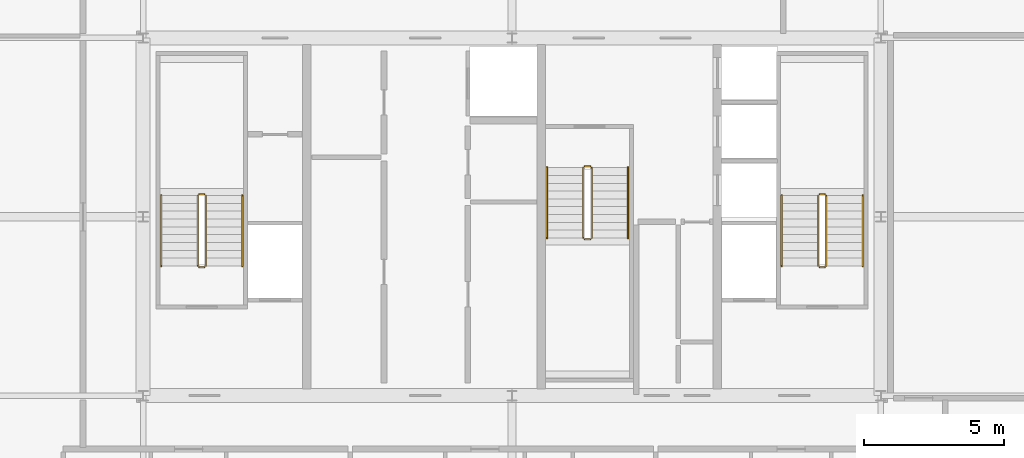
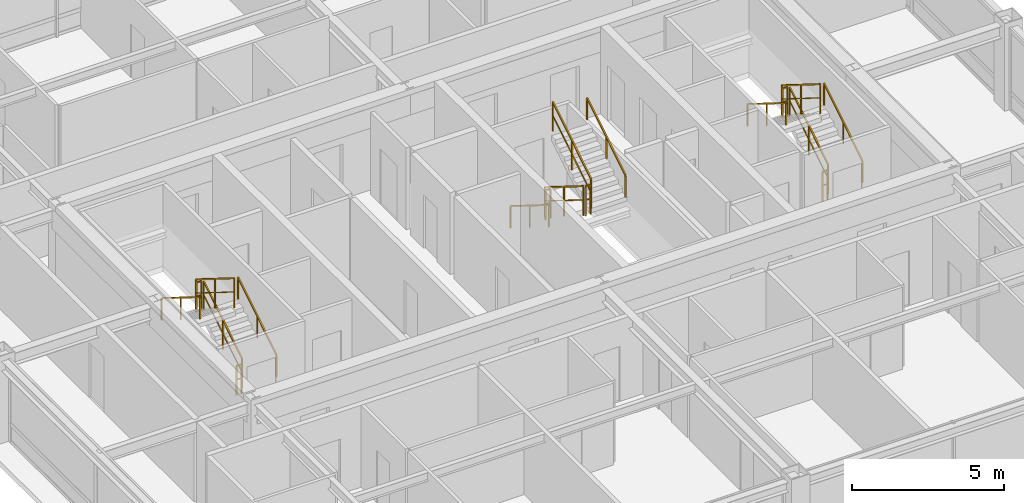
# One storey, part 35 of 35: 18 railings.
"""IFC4 building model written with IfcOpenShell, lengths in metres."""

from ifc_helpers import new_model, si_unit, direction, frame, origin, origin_2d, place, context, subcontext, project, spatial, rectangle, extrude, source, transform, mapped, material, layer, layer_set, type_object, element, save


model = new_model("IFC4")

# Units and contexts
model_context = context("Model", 3, precision=1e-05, world=origin(), true_north=direction((0.0, 1.0)))
body_context = subcontext(model_context, "Body", "Model", "MODEL_VIEW")
ifc_project = project(units=[si_unit("LENGTHUNIT", "METRE"), si_unit("AREAUNIT", "SQUARE_METRE"), si_unit("VOLUMEUNIT", "CUBIC_METRE"), si_unit("PLANEANGLEUNIT", "RADIAN"), si_unit("MASSUNIT", "GRAM", prefix="KILO"), si_unit("THERMODYNAMICTEMPERATUREUNIT", "KELVIN"), si_unit("POWERUNIT", "WATT")], contexts=[model_context])

# Site, building, storey
site_placement = place(None, origin())
site = spatial("IfcSite", under=ifc_project, at=site_placement, CompositionType="ELEMENT")
building_placement = place(site_placement, origin())
building = spatial("IfcBuilding", under=site, at=building_placement, Name="Yuzanri Waterfront Tower", CompositionType="ELEMENT")
storey_placement = place(building_placement, frame((0.0, 0.0, 318.199951171875)))
storey = spatial("IfcBuildingStorey", under=building, at=storey_placement, Name="L85", CompositionType="ELEMENT", Elevation=318.199951171875)

# Railings
ifc_material_1 = material(Name="Painted Galvanized Fire Steel", Category="steel")
ifc_layer_1 = layer(ifc_material_1, 0.06005859375)
ifc_layer_set_1 = layer_set([ifc_layer_1], Name="Painted Galvanized Fire Steel")
railing_type_1 = type_object("IfcRailingType", Name="Painted Steel Stairwell Guardrail 1120", PredefinedType="GUARDRAIL", material=ifc_layer_set_1)
shared_shape_1 = source(origin(), body_context, "Body", "SweptSolid", [
    extrude(rectangle(XDim=0.050048828125, YDim=0.050048828125, at=origin_2d()), frame((0.0, 0.0, 1.1748046875), z_axis=(-1.0, 0.0, 0.0), x_axis=(0.0, -1.0, 0.0)), (0.0, 0.0, 1.0), 0.199951171875),
    extrude(rectangle(XDim=0.035888671875, YDim=0.030029296875, at=origin_2d()), frame((0.0, 0.0, 0.6240234375), z_axis=(-1.0, 0.0, 0.0), x_axis=(0.0, -1.0, 0.0)), (0.0, 0.0, 1.0), 0.199951171875),
    extrude(rectangle(XDim=0.0458984375, YDim=0.0458984375, at=origin_2d()), origin(), (0.0, 0.0, 1.0), 1.14990234375),
    extrude(rectangle(XDim=0.0458984375, YDim=0.0458984375, at=origin_2d()), frame((-0.199951171875, 0.0, 0.0)), (0.0, 0.0, 1.0), 1.14990234375),
])
for number, where, name in (
    (1, (26.0, 26.610107421875, 1.75), "L85 ST-01 stair guard 2"),
    (2, (26.0, 23.989990234375, 0.0), "L85 ST-01 stair guard 4"),
    (3, (48.199951171875, 26.610107421875, 1.75), "L85 ST-02 stair guard 2"),
    (4, (48.199951171875, 23.989990234375, 0.0), "L85 ST-02 stair guard 4"),
):
    element("IfcRailing", number, at=place(storey_placement, frame(where)), inside=storey, type_object=railing_type_1, Name=name, PredefinedType="GUARDRAIL", context=body_context, shape_type="MappedRepresentation", body=[
        mapped(shared_shape_1, transform((0.0, 0.0, 0.0), scale=1.0)),
    ])
shared_shape_2 = source(origin(), body_context, "Body", "SweptSolid", [
    extrude(rectangle(XDim=0.050048828125, YDim=0.050048828125, at=origin_2d()), frame((0.0, 0.0, 1.1748046875), z_axis=(0.0, 0.848007534815, 0.529984170421), x_axis=(-1.0, 0.0, 0.0)), (0.0, 0.0, 1.0), 2.9716796875),
    extrude(rectangle(XDim=0.035888671875, YDim=0.030029296875, at=origin_2d()), frame((0.0, 0.0, 0.6240234375), z_axis=(0.0, 0.848007534815, 0.529984170421), x_axis=(-1.0, 0.0, 0.0)), (0.0, 0.0, 1.0), 2.9716796875),
    extrude(rectangle(XDim=0.0458984375, YDim=0.0458984375, at=origin_2d()), origin(), (0.0, 0.0, 1.0), 1.14990234375),
    extrude(rectangle(XDim=0.0458984375, YDim=0.0458984375, at=origin_2d()), frame((0.0, 1.260009765625, 0.78759765625)), (0.0, 0.0, 1.0), 1.14990234375),
    extrude(rectangle(XDim=0.0458984375, YDim=0.0458984375, at=origin_2d()), frame((0.0, 2.52001953125, 1.574951171875)), (0.0, 0.0, 1.0), 1.14990234375),
])
for number, where, name in (
    (5, (26.050048828125, 24.0400390625, 0.175048828125), "L85 ST-01 stair guard 1"),
    (6, (48.25, 24.0400390625, 0.175048828125), "L85 ST-02 stair guard 1"),
    (7, (39.85009765625, 25.0400390625, 1.925048828125), "L85 ST-03 stair guard 3"),
):
    element("IfcRailing", number, at=place(storey_placement, frame(where)), inside=storey, type_object=railing_type_1, Name=name, PredefinedType="GUARDRAIL", context=body_context, shape_type="MappedRepresentation", body=[
        mapped(shared_shape_2, transform((0.0, 0.0, 0.0), scale=1.0)),
    ])
shared_shape_3 = source(origin(), body_context, "Body", "SweptSolid", [
    extrude(rectangle(XDim=0.050048828125, YDim=0.050048828125, at=origin_2d()), frame((0.0, 0.0, 1.1748046875), z_axis=(0.0, -0.848007534815, 0.529984170421), x_axis=(1.0, 0.0, 0.0)), (0.0, 0.0, 1.0), 2.9716796875),
    extrude(rectangle(XDim=0.035888671875, YDim=0.030029296875, at=origin_2d()), frame((0.0, 0.0, 0.6240234375), z_axis=(0.0, -0.848007534815, 0.529984170421), x_axis=(1.0, 0.0, 0.0)), (0.0, 0.0, 1.0), 2.9716796875),
    extrude(rectangle(XDim=0.0458984375, YDim=0.0458984375, at=origin_2d()), origin(), (0.0, 0.0, 1.0), 1.14990234375),
    extrude(rectangle(XDim=0.0458984375, YDim=0.0458984375, at=origin_2d()), frame((0.0, -1.260009765625, 0.78759765625)), (0.0, 0.0, 1.0), 1.14990234375),
    extrude(rectangle(XDim=0.0458984375, YDim=0.0458984375, at=origin_2d()), frame((0.0, -2.52001953125, 1.574951171875)), (0.0, 0.0, 1.0), 1.14990234375),
])
for number, where, name in (
    (8, (25.75, 26.56005859375, 1.925048828125), "L85 ST-01 stair guard 3"),
    (9, (47.949951171875, 26.56005859375, 1.925048828125), "L85 ST-02 stair guard 3"),
    (10, (39.550048828125, 27.56005859375, 0.175048828125), "L85 ST-03 stair guard 1"),
):
    element("IfcRailing", number, at=place(storey_placement, frame(where)), inside=storey, type_object=railing_type_1, Name=name, PredefinedType="GUARDRAIL", context=body_context, shape_type="MappedRepresentation", body=[
        mapped(shared_shape_3, transform((0.0, 0.0, 0.0), scale=1.0)),
    ])
ifc_material_2 = material(Name="Anodized Architectural Bronze", Category="metal")
ifc_layer_2 = layer(ifc_material_2, 0.050048828125)
ifc_layer_set_2 = layer_set([ifc_layer_2], Name="Anodized Architectural Bronze")
railing_type_2 = type_object("IfcRailingType", Name="Brushed Bronze Stair Pitch Handrail 920", PredefinedType="HANDRAIL", material=ifc_layer_set_2)
shared_shape_4 = source(origin(), body_context, "Body", "SweptSolid", [
    extrude(rectangle(XDim=0.050048828125, YDim=0.050048828125, at=origin_2d()), frame((0.0, 0.0, 0.875), z_axis=(0.0, 0.848007534815, 0.529984170421), x_axis=(-1.0, 0.0, 0.0)), (0.0, 0.0, 1.0), 2.9716796875),
    extrude(rectangle(XDim=0.0458984375, YDim=0.0458984375, at=origin_2d()), origin(), (0.0, 0.0, 1.0), 0.849853515625),
    extrude(rectangle(XDim=0.0458984375, YDim=0.0458984375, at=origin_2d()), frame((0.0, 1.260009765625, 0.78759765625)), (0.0, 0.0, 1.0), 0.849853515625),
    extrude(rectangle(XDim=0.0458984375, YDim=0.0458984375, at=origin_2d()), frame((0.0, 2.52001953125, 1.574951171875)), (0.0, 0.0, 1.0), 0.849853515625),
])
for number, where, name in (
    (11, (27.35009765625, 24.0400390625, 0.175048828125), "L85 ST-01 stair handrail 1"),
    (12, (49.550048828125, 24.0400390625, 0.175048828125), "L85 ST-02 stair handrail 1"),
    (13, (41.14990234375, 25.0400390625, 1.925048828125), "L85 ST-03 stair handrail 2"),
):
    element("IfcRailing", number, at=place(storey_placement, frame(where)), inside=storey, type_object=railing_type_2, Name=name, PredefinedType="HANDRAIL", context=body_context, shape_type="MappedRepresentation", body=[
        mapped(shared_shape_4, transform((0.0, 0.0, 0.0), scale=1.0)),
    ])
shared_shape_5 = source(origin(), body_context, "Body", "SweptSolid", [
    extrude(rectangle(XDim=0.050048828125, YDim=0.050048828125, at=origin_2d()), frame((0.0, 0.0, 0.875), z_axis=(0.0, -0.848007534815, 0.529984170421), x_axis=(1.0, 0.0, 0.0)), (0.0, 0.0, 1.0), 2.9716796875),
    extrude(rectangle(XDim=0.0458984375, YDim=0.0458984375, at=origin_2d()), origin(), (0.0, 0.0, 1.0), 0.849853515625),
    extrude(rectangle(XDim=0.0458984375, YDim=0.0458984375, at=origin_2d()), frame((0.0, -1.260009765625, 0.78759765625)), (0.0, 0.0, 1.0), 0.849853515625),
    extrude(rectangle(XDim=0.0458984375, YDim=0.0458984375, at=origin_2d()), frame((0.0, -2.52001953125, 1.574951171875)), (0.0, 0.0, 1.0), 0.849853515625),
])
for number, where, name in (
    (14, (24.449951171875, 26.56005859375, 1.925048828125), "L85 ST-01 stair handrail 2"),
    (15, (46.64990234375, 26.56005859375, 1.925048828125), "L85 ST-02 stair handrail 2"),
    (16, (38.25, 27.56005859375, 0.175048828125), "L85 ST-03 stair handrail 1"),
):
    element("IfcRailing", number, at=place(storey_placement, frame(where)), inside=storey, type_object=railing_type_2, Name=name, PredefinedType="HANDRAIL", context=body_context, shape_type="MappedRepresentation", body=[
        mapped(shared_shape_5, transform((0.0, 0.0, 0.0), scale=1.0)),
    ])
shared_shape_6 = source(origin(), body_context, "Body", "SweptSolid", [
    extrude(rectangle(XDim=0.050048828125, YDim=0.050048828125, at=origin_2d()), frame((0.0, 0.0, 1.1748046875), z_axis=(1.0, 0.0, 0.0), x_axis=(0.0, 1.0, 0.0)), (0.0, 0.0, 1.0), 0.199951171875),
    extrude(rectangle(XDim=0.035888671875, YDim=0.030029296875, at=origin_2d()), frame((0.0, 0.0, 0.6240234375), z_axis=(1.0, 0.0, 0.0), x_axis=(0.0, 1.0, 0.0)), (0.0, 0.0, 1.0), 0.199951171875),
    extrude(rectangle(XDim=0.0458984375, YDim=0.0458984375, at=origin_2d()), origin(), (0.0, 0.0, 1.0), 1.14990234375),
    extrude(rectangle(XDim=0.0458984375, YDim=0.0458984375, at=origin_2d()), frame((0.199951171875, 0.0, 0.0)), (0.0, 0.0, 1.0), 1.14990234375),
])
for number, where, name in (
    (17, (39.60009765625, 24.989990234375, 1.75), "L85 ST-03 stair guard 2"),
    (18, (39.60009765625, 27.610107421875, 0.0), "L85 ST-03 stair guard 4"),
):
    element("IfcRailing", number, at=place(storey_placement, frame(where)), inside=storey, type_object=railing_type_1, Name=name, PredefinedType="GUARDRAIL", context=body_context, shape_type="MappedRepresentation", body=[
        mapped(shared_shape_6, transform((0.0, 0.0, 0.0), scale=1.0)),
    ])

save(model, "model.ifc")
